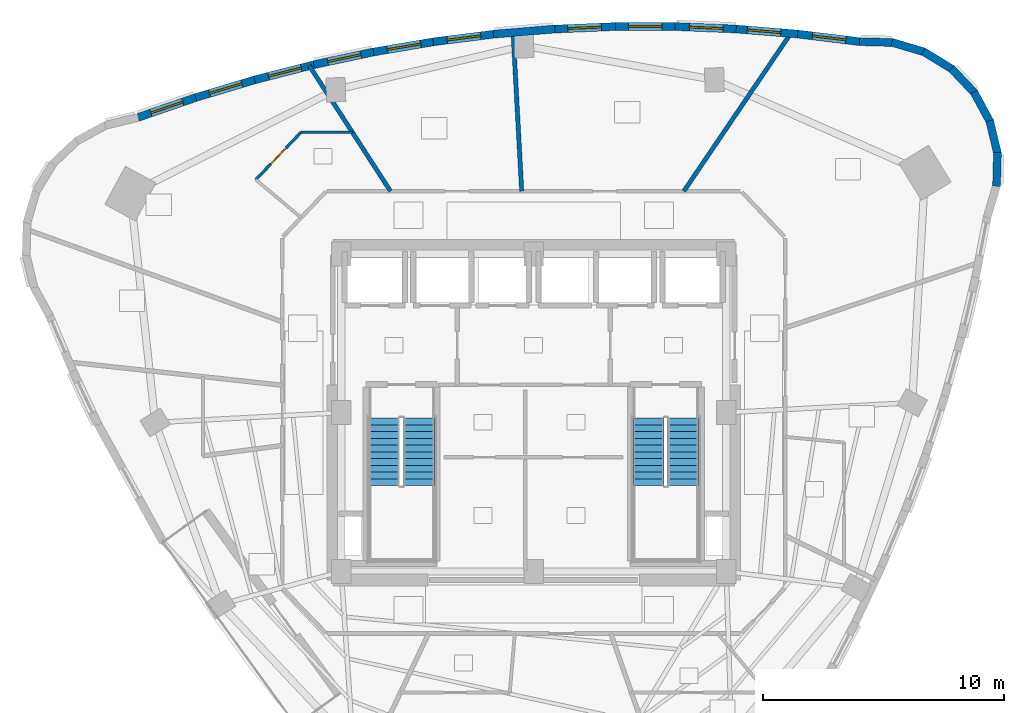
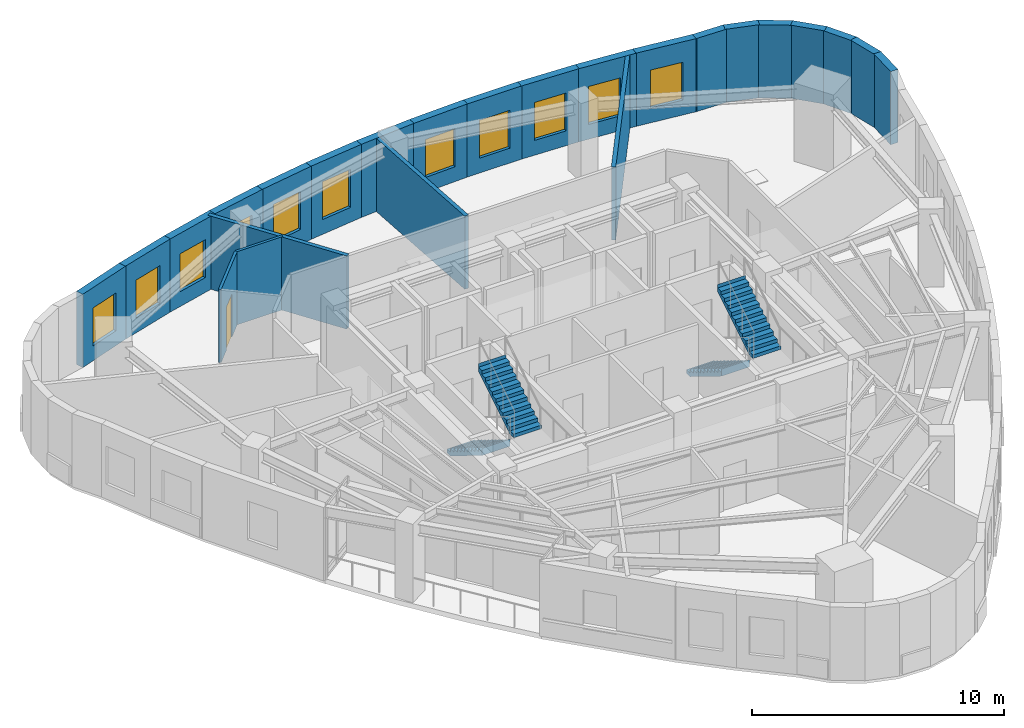
# One storey, part 9 of 12: 24 walls, 11 windows, 4 stair flights, 1 door, 12 openings, 2 elements without a shape of their own.
"""IFC4 building model written with IfcOpenShell, lengths in metres."""

from ifc_helpers import new_model, si_unit, direction, frame, frame_2d, origin, place, context, subcontext, project, spatial, polyline, rectangle, outline, extrude, material, layer, layer_set, type_object, element, fill, aggregate, save


model = new_model("IFC4")

# Units and contexts
model_context = context("Model", 3, precision=1e-05, world=origin(), true_north=direction((0.0, 1.0)))
body_context = subcontext(model_context, "Body", "Model", "MODEL_VIEW")
ifc_project = project(units=[si_unit("LENGTHUNIT", "METRE"), si_unit("AREAUNIT", "SQUARE_METRE"), si_unit("VOLUMEUNIT", "CUBIC_METRE"), si_unit("PLANEANGLEUNIT", "RADIAN"), si_unit("MASSUNIT", "GRAM", prefix="KILO")], contexts=[model_context])

# Site, building, storey
site_placement = place(None, origin())
site = spatial("IfcSite", under=ifc_project, at=site_placement, CompositionType="ELEMENT")
building_placement = place(site_placement, origin())
building = spatial("IfcBuilding", under=site, at=building_placement, Name="Ndelora Gate Hotel", CompositionType="ELEMENT")
storey_placement = place(building_placement, frame((0.0, 0.0, 232.14990234375)))
storey = spatial("IfcBuildingStorey", under=building, at=storey_placement, Name="L58", CompositionType="ELEMENT", Elevation=232.14990234375)

# Walls
ifc_material_1 = material(Name="Acoustic Double-Stud Gypsum Assembly", Category="gypsum")
ifc_layer_1 = layer(ifc_material_1, 0.179931640625)
ifc_layer_set_1 = layer_set([ifc_layer_1], Name="Acoustic Double-Stud Gypsum Assembly")
wall_type_1 = type_object("IfcWallType", Name="WL-ACOUST-180", PredefinedType="PARTITIONING", material=ifc_layer_set_1)
wall_1_placement = place(storey_placement, frame((6.23779296875, 9.199951171875, 0.0), z_axis=(0.0, 0.0, 1.0), x_axis=(0.561184790161, 0.827690540777, 0.0)))
element("IfcWall", 1, at=wall_1_placement, inside=storey, type_object=wall_type_1, Name="L58 Interior Wall IW-3", PredefinedType="PARTITIONING", context=body_context, shape_type="SweptSolid", body=[
    extrude(rectangle(XDim=7.92041015625, YDim=0.179931640625, at=frame_2d((3.960205078125, 0.0))), origin(), (0.0, 0.0, 1.0), 3.550048828125),
])
wall_2_placement = place(storey_placement, frame((-0.498779296875, 9.199951171875, 0.0), z_axis=(0.0, 0.0, 1.0), x_axis=(-0.054120704993, 0.998534400655, 0.0)))
element("IfcWall", 2, at=wall_2_placement, inside=storey, type_object=wall_type_1, Name="L58 Interior Wall IW-3", PredefinedType="PARTITIONING", context=body_context, shape_type="SweptSolid", body=[
    extrude(rectangle(XDim=6.604248046875, YDim=0.179931640625, at=frame_2d((3.30224609375, 0.0))), origin(), (0.0, 0.0, 1.0), 3.550048828125),
])
wall_3_placement = place(storey_placement, frame((-5.950927734375, 9.199951171875, 0.0), z_axis=(0.0, 0.0, 1.0), x_axis=(-0.543119167899, 0.839655625516, 0.0)))
element("IfcWall", 3, at=wall_3_placement, inside=storey, type_object=wall_type_1, Name="L58 Interior Wall IW-3", PredefinedType="PARTITIONING", context=body_context, shape_type="SweptSolid", body=[
    extrude(rectangle(XDim=6.20703125, YDim=0.179931640625, at=frame_2d((3.103515625, 0.0))), origin(), (0.0, 0.0, 1.0), 3.550048828125),
])
ifc_material_2 = material(Name="Clay Brick Masonry", Category="masonry")
ifc_layer_2 = layer(ifc_material_2, 0.330078125)
ifc_layer_set_2 = layer_set([ifc_layer_2], Name="Clay Brick Masonry")
wall_type_2 = type_object("IfcWallType", Name="WL-BRICK-330", PredefinedType="SOLIDWALL", material=ifc_layer_set_2)
for number, where, z_axis, x_axis, name in (
    (4, (19.27197265625, 10.8125, 0.0), (0.0, 0.0, 1.0), (-0.02619264168, -0.999656913907, 0.0), "L58 Tower Brick Pier-and-Spandrel Wall TWR-40"),
    (5, (18.948486328125, 12.1318359375, 0.0), (0.0, 0.0, 1.0), (0.233464793771, -0.972365255482, 0.0), "L58 Tower Brick Pier-and-Spandrel Wall TWR-41"),
):
    element("IfcWall", number, at=place(storey_placement, frame(where, z_axis=z_axis, x_axis=x_axis)), inside=storey, type_object=wall_type_2, Name=name, PredefinedType="SOLIDWALL", context=body_context, shape_type="SweptSolid", body=[
        extrude(rectangle(XDim=1.407470703125, YDim=0.330078125, at=frame_2d((0.70361328125, 0.0))), origin(), (0.0, 0.0, 1.0), 3.550048828125),
    ])
wall_4_placement = place(storey_placement, frame((18.294921875, 13.322509765625, 0.0), z_axis=(0.0, 0.0, 1.0), x_axis=(0.477076549129, -0.878861744685, 0.0)))
element("IfcWall", 6, at=wall_4_placement, inside=storey, type_object=wall_type_2, Name="L58 Tower Brick Pier-and-Spandrel Wall TWR-42", PredefinedType="SOLIDWALL", context=body_context, shape_type="SweptSolid", body=[
    extrude(rectangle(XDim=1.4072265625, YDim=0.330078125, at=frame_2d((0.70361328125, 0.0))), origin(), (0.0, 0.0, 1.0), 3.550048828125),
])
wall_5_placement = place(storey_placement, frame((17.35498046875, 14.30322265625, 0.0), z_axis=(0.0, 0.0, 1.0), x_axis=(0.688480442028, -0.725254907563, 0.0)))
element("IfcWall", 7, at=wall_5_placement, inside=storey, type_object=wall_type_2, Name="L58 Tower Brick Pier-and-Spandrel Wall TWR-43", PredefinedType="SOLIDWALL", context=body_context, shape_type="SweptSolid", body=[
    extrude(rectangle(XDim=1.407470703125, YDim=0.330078125, at=frame_2d((0.70361328125, 0.0))), origin(), (0.0, 0.0, 1.0), 3.550048828125),
])
wall_6_placement = place(storey_placement, frame((16.193603515625, 15.007568359375, 0.0), z_axis=(0.0, 0.0, 1.0), x_axis=(0.852633662668, -0.522509174355, 0.0)))
element("IfcWall", 8, at=wall_6_placement, inside=storey, type_object=wall_type_2, Name="L58 Tower Brick Pier-and-Spandrel Wall TWR-44", PredefinedType="SOLIDWALL", context=body_context, shape_type="SweptSolid", body=[
    extrude(rectangle(XDim=1.4072265625, YDim=0.330078125, at=frame_2d((0.70361328125, 0.0))), origin(), (0.0, 0.0, 1.0), 3.550048828125),
])
wall_7_placement = place(storey_placement, frame((14.88916015625, 15.38720703125, 0.0), z_axis=(0.0, 0.0, 1.0), x_axis=(0.958794613149, -0.284100140437, 0.0)))
element("IfcWall", 9, at=wall_7_placement, inside=storey, type_object=wall_type_2, Name="L58 Tower Brick Pier-and-Spandrel Wall TWR-45", PredefinedType="SOLIDWALL", context=body_context, shape_type="SweptSolid", body=[
    extrude(rectangle(XDim=1.40771484375, YDim=0.330078125, at=frame_2d((0.703857421875, 0.0))), origin(), (0.0, 0.0, 1.0), 3.550048828125),
])
wall_8_placement = place(storey_placement, frame((13.53125, 15.416259765625, 0.0), z_axis=(0.0, 0.0, 1.0), x_axis=(0.999656913907, -0.02619264168, 0.0)))
element("IfcWall", 10, at=wall_8_placement, inside=storey, type_object=wall_type_2, Name="L58 Tower Brick Pier-and-Spandrel Wall TWR-46", PredefinedType="SOLIDWALL", context=body_context, shape_type="SweptSolid", body=[
    extrude(rectangle(XDim=1.407470703125, YDim=0.330078125, at=frame_2d((0.70361328125, 0.0))), origin(), (0.0, 0.0, 1.0), 3.550048828125),
])

# Wall, opening, window
wall_9_placement = place(storey_placement, frame((10.968994140625, 15.73291015625, 0.0), z_axis=(0.0, 0.0, 1.0), x_axis=(0.99256490285, -0.121716529819, 0.0)))
wall_9 = element("IfcWall", 11, at=wall_9_placement, inside=storey, type_object=wall_type_2, Name="L58 Tower Brick Pier-and-Spandrel Wall TWR-47", PredefinedType="SOLIDWALL", context=body_context, shape_type="SweptSolid", body=[
    extrude(rectangle(XDim=2.631591796875, YDim=0.330078125, at=frame_2d((1.31591796875, 0.0))), origin(), (0.0, 0.0, 1.0), 3.550048828125),
])
opening_1_placement = place(wall_9_placement, frame((0.61572265625, 0.0, 0.719970703125)))
opening_1 = element("IfcOpeningElement", 12, at=opening_1_placement, cuts=wall_9, Name="Opening W02", PredefinedType="OPENING", context=body_context, shape_type="SweptSolid", body=[
    extrude(rectangle(XDim=1.39990234375, YDim=1.840087890625, at=frame_2d((0.699951171875, 0.919921875))), frame((0.0, 0.175048828125, 0.0), z_axis=(0.0, -1.0, 0.0), x_axis=(1.0, 0.0, 0.0)), (0.0, 0.0, 1.0), 0.35009765625),
])
ifc_material_3 = material(Name="Insulated Low-E Double Glazing in Bronze Aluminium Frame", Category="aluminium")
window_type = type_object("IfcWindowType", Name="WN-DEEP-1400", PartitioningType="SINGLE_PANEL", PredefinedType="WINDOW", material=ifc_material_3)
window_1_placement = place(opening_1_placement, origin())
window_1 = element("IfcWindow", 13, at=window_1_placement, inside=storey, type_object=window_type, Name="L58 Deep-Set Brick-Pier Window W02", OverallHeight=1.840087890625, OverallWidth=1.39990234375, PartitioningType="SINGLE_PANEL", PredefinedType="WINDOW", context=body_context, shape_type="SweptSolid", body=[
    extrude(rectangle(XDim=1.39990234375, YDim=1.840087890625, at=frame_2d((0.699951171875, 0.919921875))), frame((0.0, 0.030029296875, 0.0), z_axis=(0.0, -1.0, 0.0), x_axis=(1.0, 0.0, 0.0)), (0.0, 0.0, 1.0), 0.06005859375),
])
fill(opening_1, window_1)

wall_10_placement = place(storey_placement, frame((8.41748046875, 15.94140625, 0.0), z_axis=(0.0, 0.0, 1.0), x_axis=(0.996652650266, -0.081752643485, 0.0)))
wall_10 = element("IfcWall", 14, at=wall_10_placement, inside=storey, type_object=wall_type_2, Name="L58 Tower Brick Pier-and-Spandrel Wall TWR-48", PredefinedType="SOLIDWALL", context=body_context, shape_type="SweptSolid", body=[
    extrude(rectangle(XDim=2.610107421875, YDim=0.330078125, at=frame_2d((1.30517578125, 0.0))), origin(), (0.0, 0.0, 1.0), 3.550048828125),
])
opening_2_placement = place(wall_10_placement, frame((0.4599609375, 0.0, 0.719970703125)))
opening_2 = element("IfcOpeningElement", 15, at=opening_2_placement, cuts=wall_10, Name="Opening W02", PredefinedType="OPENING", context=body_context, shape_type="SweptSolid", body=[
    extrude(rectangle(XDim=1.39990234375, YDim=1.840087890625, at=frame_2d((0.699951171875, 0.919921875))), frame((0.0, 0.175048828125, 0.0), z_axis=(0.0, -1.0, 0.0), x_axis=(1.0, 0.0, 0.0)), (0.0, 0.0, 1.0), 0.35009765625),
])
window_2_placement = place(opening_2_placement, origin())
window_2 = element("IfcWindow", 16, at=window_2_placement, inside=storey, type_object=window_type, Name="L58 Deep-Set Brick-Pier Window W02", OverallHeight=1.840087890625, OverallWidth=1.39990234375, PartitioningType="SINGLE_PANEL", PredefinedType="WINDOW", context=body_context, shape_type="SweptSolid", body=[
    extrude(rectangle(XDim=1.39990234375, YDim=1.840087890625, at=frame_2d((0.699951171875, 0.919921875))), frame((0.0, 0.030029296875, 0.0), z_axis=(0.0, -1.0, 0.0), x_axis=(1.0, 0.0, 0.0)), (0.0, 0.0, 1.0), 0.06005859375),
])
fill(opening_2, window_2)

wall_11_placement = place(storey_placement, frame((5.876953125, 16.044921875, 0.0), z_axis=(0.0, 0.0, 1.0), x_axis=(0.999156737848, -0.041058655768, 0.0)))
wall_11 = element("IfcWall", 17, at=wall_11_placement, inside=storey, type_object=wall_type_2, Name="L58 Tower Brick Pier-and-Spandrel Wall TWR-49", PredefinedType="SOLIDWALL", context=body_context, shape_type="SweptSolid", body=[
    extrude(rectangle(XDim=2.592529296875, YDim=0.330078125, at=frame_2d((1.29638671875, 0.0))), origin(), (0.0, 0.0, 1.0), 3.550048828125),
])
opening_3_placement = place(wall_11_placement, frame((0.59619140625, 0.0, 0.719970703125)))
opening_3 = element("IfcOpeningElement", 18, at=opening_3_placement, cuts=wall_11, Name="Opening W02", PredefinedType="OPENING", context=body_context, shape_type="SweptSolid", body=[
    extrude(rectangle(XDim=1.39990234375, YDim=1.840087890625, at=frame_2d((0.699951171875, 0.919921875))), frame((0.0, 0.175048828125, 0.0), z_axis=(0.0, -1.0, 0.0), x_axis=(1.0, 0.0, 0.0)), (0.0, 0.0, 1.0), 0.35009765625),
])
window_3_placement = place(opening_3_placement, origin())
window_3 = element("IfcWindow", 19, at=window_3_placement, inside=storey, type_object=window_type, Name="L58 Deep-Set Brick-Pier Window W02", OverallHeight=1.840087890625, OverallWidth=1.39990234375, PartitioningType="SINGLE_PANEL", PredefinedType="WINDOW", context=body_context, shape_type="SweptSolid", body=[
    extrude(rectangle(XDim=1.39990234375, YDim=1.840087890625, at=frame_2d((0.699951171875, 0.919921875))), frame((0.0, 0.030029296875, 0.0), z_axis=(0.0, -1.0, 0.0), x_axis=(1.0, 0.0, 0.0)), (0.0, 0.0, 1.0), 0.06005859375),
])
fill(opening_3, window_3)

wall_12_placement = place(storey_placement, frame((3.34765625, 16.04345703125, 0.0), z_axis=(0.0, 0.0, 1.0), x_axis=(0.999999982082, 0.000189304303, 0.0)))
wall_12 = element("IfcWall", 20, at=wall_12_placement, inside=storey, type_object=wall_type_2, Name="L58 Tower Brick Pier-and-Spandrel Wall TWR-50", PredefinedType="SOLIDWALL", context=body_context, shape_type="SweptSolid", body=[
    extrude(rectangle(XDim=2.579345703125, YDim=0.330078125, at=frame_2d((1.28955078125, 0.0))), origin(), (0.0, 0.0, 1.0), 3.550048828125),
])
opening_4_placement = place(wall_12_placement, frame((0.589599609375, 0.0, 0.719970703125)))
opening_4 = element("IfcOpeningElement", 21, at=opening_4_placement, cuts=wall_12, Name="Opening W02", PredefinedType="OPENING", context=body_context, shape_type="SweptSolid", body=[
    extrude(rectangle(XDim=1.39990234375, YDim=1.840087890625, at=frame_2d((0.699951171875, 0.919921875))), frame((0.0, 0.175048828125, 0.0), z_axis=(0.0, -1.0, 0.0), x_axis=(1.0, 0.0, 0.0)), (0.0, 0.0, 1.0), 0.35009765625),
])
window_4_placement = place(opening_4_placement, origin())
window_4 = element("IfcWindow", 22, at=window_4_placement, inside=storey, type_object=window_type, Name="L58 Deep-Set Brick-Pier Window W02", OverallHeight=1.840087890625, OverallWidth=1.39990234375, PartitioningType="SINGLE_PANEL", PredefinedType="WINDOW", context=body_context, shape_type="SweptSolid", body=[
    extrude(rectangle(XDim=1.39990234375, YDim=1.840087890625, at=frame_2d((0.699951171875, 0.919921875))), frame((0.0, 0.030029296875, 0.0), z_axis=(0.0, -1.0, 0.0), x_axis=(1.0, 0.0, 0.0)), (0.0, 0.0, 1.0), 0.06005859375),
])
fill(opening_4, window_4)

wall_13_placement = place(storey_placement, frame((0.829345703125, 15.93701171875, 0.0), z_axis=(0.0, 0.0, 1.0), x_axis=(0.999126476611, 0.041788559858, 0.0)))
wall_13 = element("IfcWall", 23, at=wall_13_placement, inside=storey, type_object=wall_type_2, Name="L58 Tower Brick Pier-and-Spandrel Wall TWR-51", PredefinedType="SOLIDWALL", context=body_context, shape_type="SweptSolid", body=[
    extrude(rectangle(XDim=2.570556640625, YDim=0.330078125, at=frame_2d((1.28515625, 0.0))), origin(), (0.0, 0.0, 1.0), 3.550048828125),
])
opening_5_placement = place(wall_13_placement, frame((0.585205078125, 0.0, 0.719970703125)))
opening_5 = element("IfcOpeningElement", 24, at=opening_5_placement, cuts=wall_13, Name="Opening W02", PredefinedType="OPENING", context=body_context, shape_type="SweptSolid", body=[
    extrude(rectangle(XDim=1.39990234375, YDim=1.840087890625, at=frame_2d((0.699951171875, 0.919921875))), frame((0.0, 0.175048828125, 0.0), z_axis=(0.0, -1.0, 0.0), x_axis=(1.0, 0.0, 0.0)), (0.0, 0.0, 1.0), 0.35009765625),
])
window_5_placement = place(opening_5_placement, origin())
window_5 = element("IfcWindow", 25, at=window_5_placement, inside=storey, type_object=window_type, Name="L58 Deep-Set Brick-Pier Window W02", OverallHeight=1.840087890625, OverallWidth=1.39990234375, PartitioningType="SINGLE_PANEL", PredefinedType="WINDOW", context=body_context, shape_type="SweptSolid", body=[
    extrude(rectangle(XDim=1.39990234375, YDim=1.840087890625, at=frame_2d((0.699951171875, 0.919921875))), frame((0.0, 0.030029296875, 0.0), z_axis=(0.0, -1.0, 0.0), x_axis=(1.0, 0.0, 0.0)), (0.0, 0.0, 1.0), 0.06005859375),
])
fill(opening_5, window_5)

# Wall
wall_14_placement = place(storey_placement, frame((-1.677978515625, 15.725341796875, 0.0), z_axis=(0.0, 0.0, 1.0), x_axis=(0.996489100747, 0.083722590095, 0.0)))
element("IfcWall", 26, at=wall_14_placement, inside=storey, type_object=wall_type_2, Name="L58 Tower Brick Pier-and-Spandrel Wall TWR-52", PredefinedType="SOLIDWALL", context=body_context, shape_type="SweptSolid", body=[
    extrude(rectangle(XDim=2.566162109375, YDim=0.330078125, at=frame_2d((1.283203125, 0.0))), origin(), (0.0, 0.0, 1.0), 3.550048828125),
])

# Wall, opening, window
wall_15_placement = place(storey_placement, frame((-4.174072265625, 15.408935546875, 0.0), z_axis=(0.0, 0.0, 1.0), x_axis=(0.992107160936, 0.125392907376, 0.0)))
wall_15 = element("IfcWall", 27, at=wall_15_placement, inside=storey, type_object=wall_type_2, Name="L58 Tower Brick Pier-and-Spandrel Wall TWR-53", PredefinedType="SOLIDWALL", context=body_context, shape_type="SweptSolid", body=[
    extrude(rectangle(XDim=2.566162109375, YDim=0.330078125, at=frame_2d((1.283203125, 0.0))), origin(), (0.0, 0.0, 1.0), 3.550048828125),
])
opening_6_placement = place(wall_15_placement, frame((0.5830078125, 0.0, 0.719970703125)))
opening_6 = element("IfcOpeningElement", 28, at=opening_6_placement, cuts=wall_15, Name="Opening W02", PredefinedType="OPENING", context=body_context, shape_type="SweptSolid", body=[
    extrude(rectangle(XDim=1.39990234375, YDim=1.840087890625, at=frame_2d((0.699951171875, 0.919921875))), frame((0.0, 0.175048828125, 0.0), z_axis=(0.0, -1.0, 0.0), x_axis=(1.0, 0.0, 0.0)), (0.0, 0.0, 1.0), 0.35009765625),
])
window_6_placement = place(opening_6_placement, origin())
window_6 = element("IfcWindow", 29, at=window_6_placement, inside=storey, type_object=window_type, Name="L58 Deep-Set Brick-Pier Window W02", OverallHeight=1.840087890625, OverallWidth=1.39990234375, PartitioningType="SINGLE_PANEL", PredefinedType="WINDOW", context=body_context, shape_type="SweptSolid", body=[
    extrude(rectangle(XDim=1.39990234375, YDim=1.840087890625, at=frame_2d((0.699951171875, 0.919921875))), frame((0.0, 0.030029296875, 0.0), z_axis=(0.0, -1.0, 0.0), x_axis=(1.0, 0.0, 0.0)), (0.0, 0.0, 1.0), 0.06005859375),
])
fill(opening_6, window_6)

wall_16_placement = place(storey_placement, frame((-6.6591796875, 14.987548828125, 0.0), z_axis=(0.0, 0.0, 1.0), x_axis=(0.985993143287, 0.16678585489, 0.0)))
wall_16 = element("IfcWall", 30, at=wall_16_placement, inside=storey, type_object=wall_type_2, Name="L58 Tower Brick Pier-and-Spandrel Wall TWR-54", PredefinedType="SOLIDWALL", context=body_context, shape_type="SweptSolid", body=[
    extrude(rectangle(XDim=2.5703125, YDim=0.330078125, at=frame_2d((1.28515625, 0.0))), origin(), (0.0, 0.0, 1.0), 3.550048828125),
])
opening_7_placement = place(wall_16_placement, frame((0.585205078125, 0.0, 0.719970703125)))
opening_7 = element("IfcOpeningElement", 31, at=opening_7_placement, cuts=wall_16, Name="Opening W02", PredefinedType="OPENING", context=body_context, shape_type="SweptSolid", body=[
    extrude(rectangle(XDim=1.39990234375, YDim=1.840087890625, at=frame_2d((0.699951171875, 0.919921875))), frame((0.0, 0.175048828125, 0.0), z_axis=(0.0, -1.0, 0.0), x_axis=(1.0, 0.0, 0.0)), (0.0, 0.0, 1.0), 0.35009765625),
])
window_7_placement = place(opening_7_placement, origin())
window_7 = element("IfcWindow", 32, at=window_7_placement, inside=storey, type_object=window_type, Name="L58 Deep-Set Brick-Pier Window W02", OverallHeight=1.840087890625, OverallWidth=1.39990234375, PartitioningType="SINGLE_PANEL", PredefinedType="WINDOW", context=body_context, shape_type="SweptSolid", body=[
    extrude(rectangle(XDim=1.39990234375, YDim=1.840087890625, at=frame_2d((0.699951171875, 0.919921875))), frame((0.0, 0.030029296875, 0.0), z_axis=(0.0, -1.0, 0.0), x_axis=(1.0, 0.0, 0.0)), (0.0, 0.0, 1.0), 0.06005859375),
])
fill(opening_7, window_7)

wall_17_placement = place(storey_placement, frame((-9.13330078125, 14.461181640625, 0.0), z_axis=(0.0, 0.0, 1.0), x_axis=(0.978200927103, 0.207660651579, 0.0)))
wall_17 = element("IfcWall", 33, at=wall_17_placement, inside=storey, type_object=wall_type_2, Name="L58 Tower Brick Pier-and-Spandrel Wall TWR-55", PredefinedType="SOLIDWALL", context=body_context, shape_type="SweptSolid", body=[
    extrude(rectangle(XDim=2.579345703125, YDim=0.330078125, at=frame_2d((1.28955078125, 0.0))), origin(), (0.0, 0.0, 1.0), 3.550048828125),
])
opening_8_placement = place(wall_17_placement, frame((0.589599609375, 0.0, 0.719970703125)))
opening_8 = element("IfcOpeningElement", 34, at=opening_8_placement, cuts=wall_17, Name="Opening W02", PredefinedType="OPENING", context=body_context, shape_type="SweptSolid", body=[
    extrude(rectangle(XDim=1.39990234375, YDim=1.840087890625, at=frame_2d((0.699951171875, 0.919921875))), frame((0.0, 0.175048828125, 0.0), z_axis=(0.0, -1.0, 0.0), x_axis=(1.0, 0.0, 0.0)), (0.0, 0.0, 1.0), 0.35009765625),
])
window_8_placement = place(opening_8_placement, origin())
window_8 = element("IfcWindow", 35, at=window_8_placement, inside=storey, type_object=window_type, Name="L58 Deep-Set Brick-Pier Window W02", OverallHeight=1.840087890625, OverallWidth=1.39990234375, PartitioningType="SINGLE_PANEL", PredefinedType="WINDOW", context=body_context, shape_type="SweptSolid", body=[
    extrude(rectangle(XDim=1.39990234375, YDim=1.840087890625, at=frame_2d((0.699951171875, 0.919921875))), frame((0.0, 0.030029296875, 0.0), z_axis=(0.0, -1.0, 0.0), x_axis=(1.0, 0.0, 0.0)), (0.0, 0.0, 1.0), 0.06005859375),
])
fill(opening_8, window_8)

wall_18_placement = place(storey_placement, frame((-11.59619140625, 13.82958984375, 0.0), z_axis=(0.0, 0.0, 1.0), x_axis=(0.968775883115, 0.247938073507, 0.0)))
wall_18 = element("IfcWall", 36, at=wall_18_placement, inside=storey, type_object=wall_type_2, Name="L58 Tower Brick Pier-and-Spandrel Wall TWR-56", PredefinedType="SOLIDWALL", context=body_context, shape_type="SweptSolid", body=[
    extrude(rectangle(XDim=2.5927734375, YDim=0.330078125, at=frame_2d((1.29638671875, 0.0))), origin(), (0.0, 0.0, 1.0), 3.550048828125),
])
opening_9_placement = place(wall_18_placement, frame((0.59619140625, 0.0, 0.719970703125)))
opening_9 = element("IfcOpeningElement", 37, at=opening_9_placement, cuts=wall_18, Name="Opening W02", PredefinedType="OPENING", context=body_context, shape_type="SweptSolid", body=[
    extrude(rectangle(XDim=1.39990234375, YDim=1.840087890625, at=frame_2d((0.699951171875, 0.919921875))), frame((0.0, 0.175048828125, 0.0), z_axis=(0.0, -1.0, 0.0), x_axis=(1.0, 0.0, 0.0)), (0.0, 0.0, 1.0), 0.35009765625),
])
window_9_placement = place(opening_9_placement, origin())
window_9 = element("IfcWindow", 38, at=window_9_placement, inside=storey, type_object=window_type, Name="L58 Deep-Set Brick-Pier Window W02", OverallHeight=1.840087890625, OverallWidth=1.39990234375, PartitioningType="SINGLE_PANEL", PredefinedType="WINDOW", context=body_context, shape_type="SweptSolid", body=[
    extrude(rectangle(XDim=1.39990234375, YDim=1.840087890625, at=frame_2d((0.699951171875, 0.919921875))), frame((0.0, 0.030029296875, 0.0), z_axis=(0.0, -1.0, 0.0), x_axis=(1.0, 0.0, 0.0)), (0.0, 0.0, 1.0), 0.06005859375),
])
fill(opening_9, window_9)

wall_19_placement = place(storey_placement, frame((-14.0478515625, 13.093505859375, 0.0), z_axis=(0.0, 0.0, 1.0), x_axis=(0.957870045739, 0.287201976796, 0.0)))
wall_19 = element("IfcWall", 39, at=wall_19_placement, inside=storey, type_object=wall_type_2, Name="L58 Tower Brick Pier-and-Spandrel Wall TWR-57", PredefinedType="SOLIDWALL", context=body_context, shape_type="SweptSolid", body=[
    extrude(rectangle(XDim=2.609619140625, YDim=0.330078125, at=frame_2d((1.3046875, 0.0))), origin(), (0.0, 0.0, 1.0), 3.550048828125),
])
opening_10_placement = place(wall_19_placement, frame((0.60498046875, 0.0, 0.719970703125)))
opening_10 = element("IfcOpeningElement", 40, at=opening_10_placement, cuts=wall_19, Name="Opening W02", PredefinedType="OPENING", context=body_context, shape_type="SweptSolid", body=[
    extrude(rectangle(XDim=1.39990234375, YDim=1.840087890625, at=frame_2d((0.699951171875, 0.919921875))), frame((0.0, 0.175048828125, 0.0), z_axis=(0.0, -1.0, 0.0), x_axis=(1.0, 0.0, 0.0)), (0.0, 0.0, 1.0), 0.35009765625),
])
window_10_placement = place(opening_10_placement, origin())
window_10 = element("IfcWindow", 41, at=window_10_placement, inside=storey, type_object=window_type, Name="L58 Deep-Set Brick-Pier Window W02", OverallHeight=1.840087890625, OverallWidth=1.39990234375, PartitioningType="SINGLE_PANEL", PredefinedType="WINDOW", context=body_context, shape_type="SweptSolid", body=[
    extrude(rectangle(XDim=1.39990234375, YDim=1.840087890625, at=frame_2d((0.699951171875, 0.919921875))), frame((0.0, 0.030029296875, 0.0), z_axis=(0.0, -1.0, 0.0), x_axis=(1.0, 0.0, 0.0)), (0.0, 0.0, 1.0), 0.06005859375),
])
fill(opening_10, window_10)

wall_20_placement = place(storey_placement, frame((-16.48876953125, 12.252197265625, 0.0), z_axis=(0.0, 0.0, 1.0), x_axis=(0.945558180725, 0.325453110085, 0.0)))
wall_20 = element("IfcWall", 42, at=wall_20_placement, inside=storey, type_object=wall_type_2, Name="L58 Tower Brick Pier-and-Spandrel Wall TWR-58", PredefinedType="SOLIDWALL", context=body_context, shape_type="SweptSolid", body=[
    extrude(rectangle(XDim=2.631591796875, YDim=0.330078125, at=frame_2d((1.31591796875, 0.0))), origin(), (0.0, 0.0, 1.0), 3.550048828125),
])
opening_11_placement = place(wall_20_placement, frame((0.615966796875, 0.0, 0.719970703125)))
opening_11 = element("IfcOpeningElement", 43, at=opening_11_placement, cuts=wall_20, Name="Opening W02", PredefinedType="OPENING", context=body_context, shape_type="SweptSolid", body=[
    extrude(rectangle(XDim=1.39990234375, YDim=1.840087890625, at=frame_2d((0.699951171875, 0.919921875))), frame((0.0, 0.175048828125, 0.0), z_axis=(0.0, -1.0, 0.0), x_axis=(1.0, 0.0, 0.0)), (0.0, 0.0, 1.0), 0.35009765625),
])
window_11_placement = place(opening_11_placement, origin())
window_11 = element("IfcWindow", 44, at=window_11_placement, inside=storey, type_object=window_type, Name="L58 Deep-Set Brick-Pier Window W02", OverallHeight=1.840087890625, OverallWidth=1.39990234375, PartitioningType="SINGLE_PANEL", PredefinedType="WINDOW", context=body_context, shape_type="SweptSolid", body=[
    extrude(rectangle(XDim=1.39990234375, YDim=1.840087890625, at=frame_2d((0.699951171875, 0.919921875))), frame((0.0, 0.030029296875, 0.0), z_axis=(0.0, -1.0, 0.0), x_axis=(1.0, 0.0, 0.0)), (0.0, 0.0, 1.0), 0.06005859375),
])
fill(opening_11, window_11)

# Wall, opening, door
ifc_material_4 = material(Name="Moisture-Resistant Bathroom Tile Partition", Category="gypsum")
ifc_layer_3 = layer(ifc_material_4, 0.1201171875)
ifc_layer_set_3 = layer_set([ifc_layer_3], Name="Moisture-Resistant Bathroom Tile Partition")
wall_type_3 = type_object("IfcWallType", Name="WL-WET-120", PredefinedType="PARTITIONING", material=ifc_layer_set_3)
wall_21_placement = place(storey_placement, frame((-11.54736328125, 9.6796875, 0.0), z_axis=(0.0, 0.0, 1.0), x_axis=(0.689950763689, 0.723856300438, 0.0)))
wall_21 = element("IfcWall", 45, at=wall_21_placement, inside=storey, type_object=wall_type_3, Name="L58 Interior Wall IW-7", PredefinedType="PARTITIONING", context=body_context, shape_type="SweptSolid", body=[
    extrude(rectangle(XDim=2.721923828125, YDim=0.1201171875, at=frame_2d((1.36083984375, 0.0))), origin(), (0.0, 0.0, 1.0), 3.550048828125),
])
opening_12_placement = place(wall_21_placement, frame((0.90087890625, 0.0, 0.0)))
opening_12 = element("IfcOpeningElement", 46, at=opening_12_placement, cuts=wall_21, Name="Opening D03", PredefinedType="OPENING", context=body_context, shape_type="SweptSolid", body=[
    extrude(rectangle(XDim=0.919921875, YDim=2.10009765625, at=frame_2d((0.4599609375, 1.050048828125))), frame((0.0, 0.070068359375, 0.0), z_axis=(0.0, -1.0, 0.0), x_axis=(1.0, 0.0, 0.0)), (0.0, 0.0, 1.0), 0.14013671875),
])
ifc_material_5 = material(Name="Moisture-Resistant Hardwood En-Suite Door", Category="wood")
door_type = type_object("IfcDoorType", Name="DR-BATH-920", OperationType="SINGLE_SWING_LEFT", PredefinedType="DOOR", material=ifc_material_5)
door_placement = place(opening_12_placement, origin())
door = element("IfcDoor", 47, at=door_placement, inside=storey, type_object=door_type, Name="L58 En-suite Bathroom 6104 Door", OperationType="SINGLE_SWING_LEFT", OverallHeight=2.10009765625, OverallWidth=0.919921875, PredefinedType="DOOR", context=body_context, shape_type="SweptSolid", body=[
    extrude(rectangle(XDim=0.919921875, YDim=2.10009765625, at=frame_2d((0.4599609375, 1.050048828125))), frame((0.0, 0.02490234375, 0.0), z_axis=(0.0, -1.0, 0.0), x_axis=(1.0, 0.0, 0.0)), (0.0, 0.0, 1.0), 0.050048828125),
])
fill(opening_12, door)

# Wall
wall_22_placement = place(storey_placement, frame((-7.53564453125, 11.64990234375, 0.0), z_axis=(0.0, 0.0, 1.0), x_axis=(-1.0, 0.0, 0.0)))
element("IfcWall", 48, at=wall_22_placement, inside=storey, type_object=wall_type_3, Name="L58 Interior Wall IW-7", PredefinedType="PARTITIONING", context=body_context, shape_type="SweptSolid", body=[
    extrude(rectangle(XDim=2.1337890625, YDim=0.1201171875, at=frame_2d((1.06689453125, 0.0))), origin(), (0.0, 0.0, 1.0), 3.550048828125),
])

# Stair, stair flights
ifc_material_6 = material(Name="Precast concrete C40/50", Category="concrete")
stair_type = type_object("IfcStairType", Name="STR-DOG-CORE", PredefinedType="HALF_TURN_STAIR", material=ifc_material_6)
stair_1_placement = place(storey_placement, origin())
stair_1 = element("IfcStair", 49, at=stair_1_placement, inside=storey, type_object=stair_type, Name="L58 Protected Core Exit Stair ST4", PredefinedType="HALF_TURN_STAIR")
stair_flight_type = type_object("IfcStairFlightType", Name="STF-PRECAST", PredefinedType="STRAIGHT", material=ifc_material_6)
stair_flight_1_placement = place(storey_placement, frame((-6.2099609375, -0.22998046875, 0.0), z_axis=(0.0, 0.0, 1.0), x_axis=(0.0, -1.0, 0.0)))
stair_flight_1 = element("IfcStairFlight", 50, at=stair_flight_1_placement, type_object=stair_flight_type, Name="ST4 flight 1", NumberOfRisers=11, NumberOfTreads=10, PredefinedType="STRAIGHT", RiserHeight=0.172727273, TreadLength=0.28, context=body_context, shape_type="SweptSolid", body=[
    extrude(outline(polyline([(-0.00048828125, 0.0), (-0.00048828125, 0.172607421875), (0.0, 0.172607421875), (0.280029296875, 0.172607421875), (0.280029296875, 0.345458984375), (0.56005859375, 0.345458984375), (0.56005859375, 0.51806640625), (0.840087890625, 0.51806640625), (0.840087890625, 0.69091796875), (1.1201171875, 0.69091796875), (1.1201171875, 0.863525390625), (1.39990234375, 0.863525390625), (1.39990234375, 1.036376953125), (1.679931640625, 1.036376953125), (1.679931640625, 1.208984375), (1.9599609375, 1.208984375), (1.9599609375, 1.3818359375), (2.239990234375, 1.3818359375), (2.239990234375, 1.554443359375), (2.52001953125, 1.554443359375), (2.52001953125, 1.727294921875), (2.800048828125, 1.727294921875), (2.800048828125, 1.89990234375), (2.800537109375, 1.89990234375), (2.800537109375, 1.719970703125), (2.800048828125, 1.551025390625), (0.285400390625, 0.0), (-0.00048828125, 0.0)])), frame((0.0, 0.64013671875, 0.0), z_axis=(0.0, -1.0, 0.0), x_axis=(1.0, 0.0, 0.0)), (0.0, 0.0, 1.0), 1.280029296875),
])
stair_flight_2_placement = place(storey_placement, frame((-4.77001953125, -3.030029296875, 1.900146484375), z_axis=(0.0, 0.0, 1.0), x_axis=(0.0, 1.0, 0.0)))
stair_flight_2 = element("IfcStairFlight", 51, at=stair_flight_2_placement, type_object=stair_flight_type, Name="ST4 flight 2", NumberOfRisers=11, NumberOfTreads=10, PredefinedType="STRAIGHT", RiserHeight=0.172727273, TreadLength=0.28, context=body_context, shape_type="SweptSolid", body=[
    extrude(outline(polyline([(-0.00048828125, 0.0), (-0.00048828125, 0.172607421875), (0.0, 0.172607421875), (0.280029296875, 0.172607421875), (0.280029296875, 0.345458984375), (0.56005859375, 0.345458984375), (0.56005859375, 0.51806640625), (0.840087890625, 0.51806640625), (0.840087890625, 0.69091796875), (1.1201171875, 0.69091796875), (1.1201171875, 0.863525390625), (1.39990234375, 0.863525390625), (1.39990234375, 1.036376953125), (1.679931640625, 1.036376953125), (1.679931640625, 1.208984375), (1.9599609375, 1.208984375), (1.9599609375, 1.3818359375), (2.239990234375, 1.3818359375), (2.239990234375, 1.554443359375), (2.52001953125, 1.554443359375), (2.52001953125, 1.727294921875), (2.800048828125, 1.727294921875), (2.800048828125, 1.89990234375), (2.800537109375, 1.89990234375), (2.800537109375, 1.719970703125), (2.800048828125, 1.551025390625), (0.285400390625, 0.0), (-0.00048828125, 0.0)])), frame((0.0, 0.64013671875, 0.0), z_axis=(0.0, -1.0, 0.0), x_axis=(1.0, 0.0, 0.0)), (0.0, 0.0, 1.0), 1.280029296875),
])
aggregate(stair_1, [stair_flight_1, stair_flight_2])

stair_2_placement = place(storey_placement, origin())
stair_2 = element("IfcStair", 52, at=stair_2_placement, inside=storey, type_object=stair_type, Name="L58 Protected Core Exit Stair ST5", PredefinedType="HALF_TURN_STAIR")
stair_flight_3_placement = place(storey_placement, frame((4.77001953125, -0.22998046875, 0.0), z_axis=(0.0, 0.0, 1.0), x_axis=(0.0, -1.0, 0.0)))
stair_flight_3 = element("IfcStairFlight", 53, at=stair_flight_3_placement, type_object=stair_flight_type, Name="ST5 flight 1", NumberOfRisers=11, NumberOfTreads=10, PredefinedType="STRAIGHT", RiserHeight=0.172727273, TreadLength=0.28, context=body_context, shape_type="SweptSolid", body=[
    extrude(outline(polyline([(-0.00048828125, 0.0), (-0.00048828125, 0.172607421875), (0.0, 0.172607421875), (0.280029296875, 0.172607421875), (0.280029296875, 0.345458984375), (0.56005859375, 0.345458984375), (0.56005859375, 0.51806640625), (0.840087890625, 0.51806640625), (0.840087890625, 0.69091796875), (1.1201171875, 0.69091796875), (1.1201171875, 0.863525390625), (1.39990234375, 0.863525390625), (1.39990234375, 1.036376953125), (1.679931640625, 1.036376953125), (1.679931640625, 1.208984375), (1.9599609375, 1.208984375), (1.9599609375, 1.3818359375), (2.239990234375, 1.3818359375), (2.239990234375, 1.554443359375), (2.52001953125, 1.554443359375), (2.52001953125, 1.727294921875), (2.800048828125, 1.727294921875), (2.800048828125, 1.89990234375), (2.800537109375, 1.89990234375), (2.800537109375, 1.719970703125), (2.800048828125, 1.551025390625), (0.285400390625, 0.0), (-0.00048828125, 0.0)])), frame((0.0, 0.64013671875, 0.0), z_axis=(0.0, -1.0, 0.0), x_axis=(1.0, 0.0, 0.0)), (0.0, 0.0, 1.0), 1.280029296875),
])
stair_flight_4_placement = place(storey_placement, frame((6.2099609375, -3.030029296875, 1.900146484375), z_axis=(0.0, 0.0, 1.0), x_axis=(0.0, 1.0, 0.0)))
stair_flight_4 = element("IfcStairFlight", 54, at=stair_flight_4_placement, type_object=stair_flight_type, Name="ST5 flight 2", NumberOfRisers=11, NumberOfTreads=10, PredefinedType="STRAIGHT", RiserHeight=0.172727273, TreadLength=0.28, context=body_context, shape_type="SweptSolid", body=[
    extrude(outline(polyline([(-0.00048828125, 0.0), (-0.00048828125, 0.172607421875), (0.0, 0.172607421875), (0.280029296875, 0.172607421875), (0.280029296875, 0.345458984375), (0.56005859375, 0.345458984375), (0.56005859375, 0.51806640625), (0.840087890625, 0.51806640625), (0.840087890625, 0.69091796875), (1.1201171875, 0.69091796875), (1.1201171875, 0.863525390625), (1.39990234375, 0.863525390625), (1.39990234375, 1.036376953125), (1.679931640625, 1.036376953125), (1.679931640625, 1.208984375), (1.9599609375, 1.208984375), (1.9599609375, 1.3818359375), (2.239990234375, 1.3818359375), (2.239990234375, 1.554443359375), (2.52001953125, 1.554443359375), (2.52001953125, 1.727294921875), (2.800048828125, 1.727294921875), (2.800048828125, 1.89990234375), (2.800537109375, 1.89990234375), (2.800537109375, 1.719970703125), (2.800048828125, 1.551025390625), (0.285400390625, 0.0), (-0.00048828125, 0.0)])), frame((0.0, 0.64013671875, 0.0), z_axis=(0.0, -1.0, 0.0), x_axis=(1.0, 0.0, 0.0)), (0.0, 0.0, 1.0), 1.280029296875),
])
aggregate(stair_2, [stair_flight_3, stair_flight_4])

save(model, "model.ifc")
